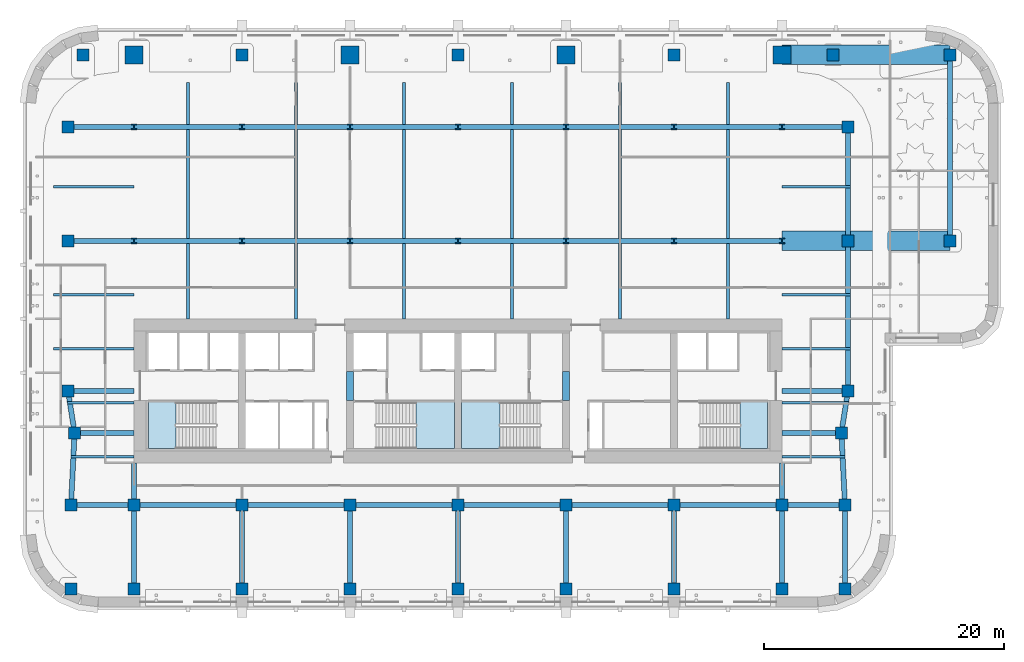
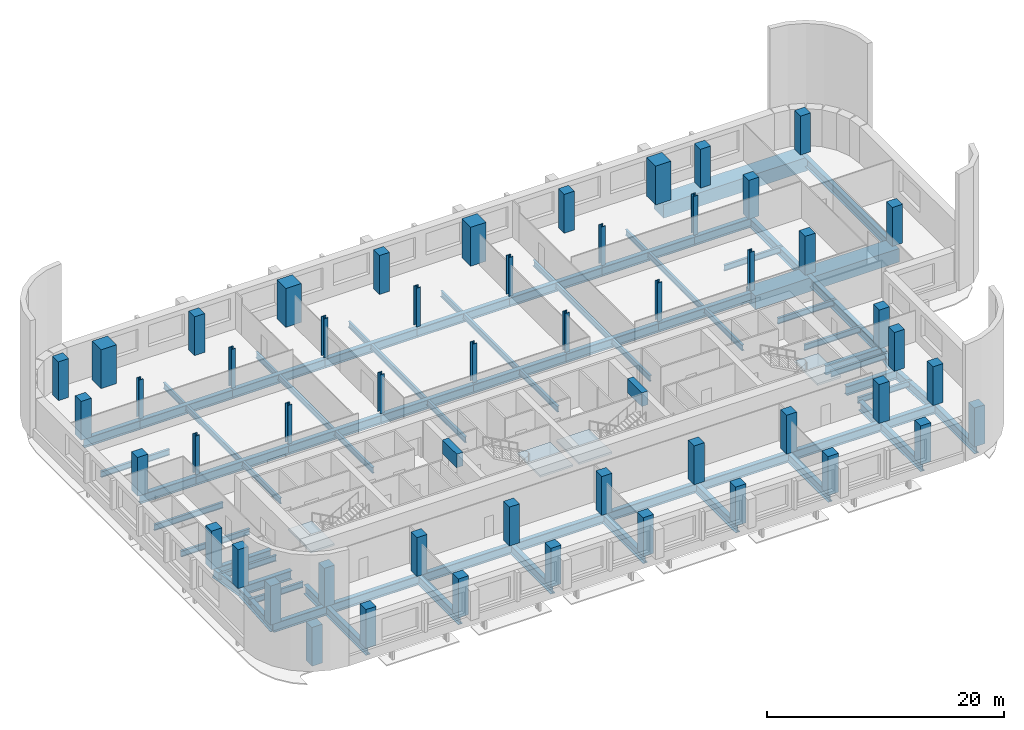
# One storey, part 1 of 13: 64 beams, 51 columns, 4 slabs, 4 elements without a shape of their own.
"""IFC4 building model written with IfcOpenShell, lengths in metres."""

from ifc_helpers import new_model, si_unit, direction, frame, origin, origin_2d, place, context, subcontext, project, spatial, polyline, rectangle, i_section, outline, extrude, material, layer, layer_set, material_profile, profile_set, type_object, element, aggregate, save


model = new_model("IFC4")

# Units and contexts
model_context = context("Model", 3, precision=1e-05, world=origin(), true_north=direction((0.0, 1.0)))
body_context = subcontext(model_context, "Body", "Model", "MODEL_VIEW")
ifc_project = project(units=[si_unit("LENGTHUNIT", "METRE"), si_unit("AREAUNIT", "SQUARE_METRE"), si_unit("VOLUMEUNIT", "CUBIC_METRE"), si_unit("PLANEANGLEUNIT", "RADIAN"), si_unit("MASSUNIT", "GRAM", prefix="KILO")], contexts=[model_context])

# Site, building, storey
site_placement = place(None, origin())
site = spatial("IfcSite", under=ifc_project, at=site_placement, CompositionType="ELEMENT")
building_placement = place(site_placement, origin())
building = spatial("IfcBuilding", under=site, at=building_placement, Name="Zellij Exchange Tower", CompositionType="ELEMENT")
storey_placement = place(building_placement, frame((0.0, 0.0, 108.5)))
storey = spatial("IfcBuildingStorey", under=building, at=storey_placement, Name="L23", CompositionType="ELEMENT", Elevation=108.5)

# Columns
ifc_material_1 = material(Name="Concrete C70/85", Category="concrete")
ifc_material_profile_1 = material_profile(ifc_material_1, rectangle(XDim=1.0, YDim=1.0, at=origin_2d()), Name="STR-COLUMN RC1000x1000 C70/85")
ifc_profile_set_1 = profile_set([ifc_material_profile_1], Name="Concrete C70/85")
column_type_1 = type_object("IfcColumnType", Name="STR-COLUMN RC1000x1000 C70/85", PredefinedType="COLUMN", material=ifc_profile_set_1)
for number, where, z_axis, x_axis, name in (
    (1, (-32.25, -24.5, 0.0), (0.0, 0.0, 1.0), (1.0, 0.0, 0.0), "C10"),
    (2, (-27.0, -24.5, 0.0), (0.0, 0.0, 1.0), (1.0, 0.0, 0.0), "C10"),
    (3, (-18.0, -24.5, 0.0), (0.0, 0.0, 1.0), (1.0, 0.0, 0.0), "C10"),
    (4, (-9.0, -24.5, 0.0), (0.0, 0.0, 1.0), (1.0, 0.0, 0.0), "C10"),
    (5, (0.0, -24.5, 0.0), (0.0, 0.0, 1.0), (1.0, 0.0, 0.0), "C10"),
    (6, (9.0, -24.5, 0.0), (0.0, 0.0, 1.0), (1.0, 0.0, 0.0), "C10"),
    (7, (18.0, -24.5, 0.0), (0.0, 0.0, 1.0), (1.0, 0.0, 0.0), "C10"),
    (8, (27.0, -24.5, 0.0), (0.0, 0.0, 1.0), (1.0, 0.0, 0.0), "C10"),
    (9, (32.25, -24.5, 0.0), (0.0, 0.0, 1.0), (1.0, 0.0, 0.0), "C10"),
    (10, (-32.25, -17.5, 0.0), (0.0, 0.0, 1.0), (1.0, 0.0, 0.0), "C10"),
    (11, (-27.0, -17.5, 0.0), (0.0, 0.0, 1.0), (1.0, 0.0, 0.0), "C10"),
    (12, (-18.0, -17.5, 0.0), (0.0, 0.0, 1.0), (1.0, 0.0, 0.0), "C10"),
    (13, (-9.0, -17.5, 0.0), (0.0, 0.0, 1.0), (1.0, 0.0, 0.0), "C10"),
    (14, (0.0, -17.5, 0.0), (0.0, 0.0, 1.0), (1.0, 0.0, 0.0), "C10"),
    (15, (9.0, -17.5, 0.0), (0.0, 0.0, 1.0), (1.0, 0.0, 0.0), "C10"),
    (16, (18.0, -17.5, 0.0), (0.0, 0.0, 1.0), (1.0, 0.0, 0.0), "C10"),
    (17, (27.0, -17.5, 0.0), (0.0, 0.0, 1.0), (1.0, 0.0, 0.0), "C10"),
    (18, (32.25, -17.5, 0.0), (0.0, 0.0, 1.0), (1.0, 0.0, 0.0), "C10"),
    (19, (-31.949951171875, -11.5, 0.0), (0.0, 0.0, 1.0), (1.0, 0.0, 0.0), "C10"),
    (20, (31.949951171875, -11.5, 0.0), (0.0, 0.0, 1.0), (1.0, 0.0, 0.0), "C10"),
    (21, (-32.5, -8.0, 0.0), (0.0, 0.0, 1.0), (1.0, 0.0, 0.0), "C10"),
    (22, (32.5, -8.0, 0.0), (0.0, 0.0, 1.0), (1.0, 0.0, 0.0), "C10"),
    (23, (-32.5, 4.5, 0.0), (0.0, 0.0, 1.0), (1.0, 0.0, 0.0), "C10"),
    (24, (32.5, 4.5, 0.0), (0.0, 0.0, 1.0), (1.0, 0.0, 0.0), "C10"),
    (25, (41.0, 4.5, 0.0), (0.0, 0.0, 1.0), (1.0, 0.0, 0.0), "C10"),
    (26, (-32.5, 14.0, 0.0), (0.0, 0.0, 1.0), (1.0, 0.0, 0.0), "C10"),
    (27, (32.5, 14.0, 0.0), (0.0, 0.0, 1.0), (1.0, 0.0, 0.0), "C10"),
    (28, (-31.25, 20.0, 0.0), (0.0, 0.0, 1.0), (1.0, 0.0, 0.0), "C10"),
    (29, (-18.0, 20.0, 0.0), (0.0, 0.0, 1.0), (1.0, 0.0, 0.0), "C10"),
    (30, (0.0, 20.0, 0.0), (0.0, 0.0, 1.0), (1.0, 0.0, 0.0), "C10"),
    (31, (18.0, 20.0, 0.0), (0.0, 0.0, 1.0), (1.0, 0.0, 0.0), "C10"),
    (32, (31.25, 20.0, 0.0), (0.0, 0.0, 1.0), (1.0, 0.0, 0.0), "C10"),
    (33, (41.0, 20.0, 0.0), (0.0, 0.0, 1.0), (1.0, 0.0, 0.0), "C10"),
):
    element("IfcColumn", number, at=place(storey_placement, frame(where, z_axis=z_axis, x_axis=x_axis)), inside=storey, type_object=column_type_1, Name=name, PredefinedType="COLUMN", context=body_context, shape_type="SweptSolid", body=[
        extrude(rectangle(XDim=1.0, YDim=1.0, at=origin_2d()), origin(), (0.0, 0.0, 1.0), 4.0),
    ])
ifc_material_2 = material(Name="Structural steel ASTM A913 Gr 65", Category="steel")
ifc_material_profile_2 = material_profile(ifc_material_2, i_section(OverallWidth=0.419189453125, OverallDepth=0.45458984375, WebThickness=0.042236328125, FlangeThickness=0.067626953125, at=origin_2d()), Name="W14x370")
ifc_profile_set_2 = profile_set([ifc_material_profile_2], Name="Structural steel ASTM A913 Gr 65")
column_type_2 = type_object("IfcColumnType", Name="STR-COLUMN W14x370", PredefinedType="COLUMN", material=ifc_profile_set_2)
for number, where, z_axis, x_axis, name in (
    (34, (-27.0, 4.5, 0.0), (0.0, 0.0, 1.0), (1.0, 0.0, 0.0), "C4"),
    (35, (-18.0, 4.5, 0.0), (0.0, 0.0, 1.0), (1.0, 0.0, 0.0), "C4"),
    (36, (-9.0, 4.5, 0.0), (0.0, 0.0, 1.0), (1.0, 0.0, 0.0), "C4"),
    (37, (0.0, 4.5, 0.0), (0.0, 0.0, 1.0), (1.0, 0.0, 0.0), "C4"),
    (38, (9.0, 4.5, 0.0), (0.0, 0.0, 1.0), (1.0, 0.0, 0.0), "C4"),
    (39, (18.0, 4.5, 0.0), (0.0, 0.0, 1.0), (1.0, 0.0, 0.0), "C4"),
    (40, (27.0, 4.5, 0.0), (0.0, 0.0, 1.0), (1.0, 0.0, 0.0), "C4"),
    (41, (-27.0, 14.0, 0.0), (0.0, 0.0, 1.0), (1.0, 0.0, 0.0), "C4"),
    (42, (-18.0, 14.0, 0.0), (0.0, 0.0, 1.0), (1.0, 0.0, 0.0), "C4"),
    (43, (-9.0, 14.0, 0.0), (0.0, 0.0, 1.0), (1.0, 0.0, 0.0), "C4"),
    (44, (0.0, 14.0, 0.0), (0.0, 0.0, 1.0), (1.0, 0.0, 0.0), "C4"),
    (45, (9.0, 14.0, 0.0), (0.0, 0.0, 1.0), (1.0, 0.0, 0.0), "C4"),
    (46, (18.0, 14.0, 0.0), (0.0, 0.0, 1.0), (1.0, 0.0, 0.0), "C4"),
    (47, (27.0, 14.0, 0.0), (0.0, 0.0, 1.0), (1.0, 0.0, 0.0), "C4"),
):
    element("IfcColumn", number, at=place(storey_placement, frame(where, z_axis=z_axis, x_axis=x_axis)), inside=storey, type_object=column_type_2, Name=name, PredefinedType="COLUMN", context=body_context, shape_type="SweptSolid", body=[
        extrude(i_section(OverallWidth=0.419189453125, OverallDepth=0.45458984375, WebThickness=0.042236328125, FlangeThickness=0.067626953125, at=origin_2d()), origin(), (0.0, 0.0, 1.0), 4.0),
    ])
ifc_material_profile_3 = material_profile(ifc_material_1, rectangle(XDim=1.5, YDim=1.5, at=origin_2d()), Name="STR-MEGA COLUMN RC1500x1500 C70/85")
ifc_profile_set_3 = profile_set([ifc_material_profile_3], Name="Concrete C70/85")
column_type_3 = type_object("IfcColumnType", Name="STR-MEGA COLUMN RC1500x1500 C70/85", PredefinedType="COLUMN", material=ifc_profile_set_3)
for number, where, z_axis, x_axis, name in (
    (48, (-27.0, 20.0, 0.0), (0.0, 0.0, 1.0), (1.0, 0.0, 0.0), "MC5"),
    (49, (-9.0, 20.0, 0.0), (0.0, 0.0, 1.0), (1.0, 0.0, 0.0), "MC5"),
    (50, (9.0, 20.0, 0.0), (0.0, 0.0, 1.0), (1.0, 0.0, 0.0), "MC5"),
    (51, (27.0, 20.0, 0.0), (0.0, 0.0, 1.0), (1.0, 0.0, 0.0), "MC5"),
):
    element("IfcColumn", number, at=place(storey_placement, frame(where, z_axis=z_axis, x_axis=x_axis)), inside=storey, type_object=column_type_3, Name=name, PredefinedType="COLUMN", context=body_context, shape_type="SweptSolid", body=[
        extrude(rectangle(XDim=1.5, YDim=1.5, at=origin_2d()), origin(), (0.0, 0.0, 1.0), 4.0),
    ])

# Beams
ifc_material_profile_4 = material_profile(ifc_material_1, rectangle(XDim=0.60009765625, YDim=1.39990234375, at=origin_2d()), Name="CORE-CB 600x1400 C70/85")
ifc_profile_set_4 = profile_set([ifc_material_profile_4], Name="Concrete C70/85")
beam_type_1 = type_object("IfcBeamType", Name="CORE-CB 600x1400 C70/85", PredefinedType="BEAM", material=ifc_profile_set_4)
for number, where, z_axis, x_axis, name in (
    (52, (-9.0, -8.800048828125, 3.10009765625), (0.0, 1.0, 0.0), (-1.0, 0.0, 0.0), "Core coupling beam x -9 L23"),
    (53, (9.0, -8.800048828125, 3.10009765625), (0.0, 1.0, 0.0), (-1.0, 0.0, 0.0), "Core coupling beam x 9 L23"),
):
    element("IfcBeam", number, at=place(storey_placement, frame(where, z_axis=z_axis, x_axis=x_axis)), inside=storey, type_object=beam_type_1, Name=name, PredefinedType="BEAM", context=body_context, shape_type="SweptSolid", body=[
        extrude(rectangle(XDim=0.60009765625, YDim=1.39990234375, at=origin_2d()), origin(), (0.0, 0.0, 1.0), 2.425048828125),
    ])
ifc_material_3 = material(Name="Structural steel ASTM A992 Gr 50", Category="steel")
ifc_material_profile_5 = material_profile(ifc_material_3, i_section(OverallWidth=0.227783203125, OverallDepth=0.60205078125, WebThickness=0.010498046875, FlangeThickness=0.014892578125, at=origin_2d()), Name="W24x68")
ifc_profile_set_5 = profile_set([ifc_material_profile_5], Name="Structural steel ASTM A992 Gr 50")
beam_type_2 = type_object("IfcBeamType", Name="STR-BEAM W24x68", PredefinedType="BEAM", material=ifc_profile_set_5)
for number, where, z_axis, x_axis, name in (
    (54, (-22.5, -2.0, -0.5009765625), (0.0, 1.0, 0.0), (-1.0, 0.0, 0.0), "B5"),
    (55, (-13.5, -2.0, -0.5009765625), (0.0, 1.0, 0.0), (-1.0, 0.0, 0.0), "B5"),
    (56, (-4.5, -2.0, -0.5009765625), (0.0, 1.0, 0.0), (-1.0, 0.0, 0.0), "B5"),
    (57, (4.5, -2.0, -0.5009765625), (0.0, 1.0, 0.0), (-1.0, 0.0, 0.0), "B5"),
    (58, (13.5, -2.0, -0.5009765625), (0.0, 1.0, 0.0), (-1.0, 0.0, 0.0), "B5"),
    (59, (22.5, -2.0, -0.5009765625), (0.0, 1.0, 0.0), (-1.0, 0.0, 0.0), "B5"),
):
    element("IfcBeam", number, at=place(storey_placement, frame(where, z_axis=z_axis, x_axis=x_axis)), inside=storey, type_object=beam_type_2, Name=name, PredefinedType="BEAM", context=body_context, shape_type="SweptSolid", body=[
        extrude(i_section(OverallWidth=0.227783203125, OverallDepth=0.60205078125, WebThickness=0.010498046875, FlangeThickness=0.014892578125, at=origin_2d()), origin(), (0.0, 0.0, 1.0), 19.699951171875),
    ])
beam_1_placement = place(storey_placement, frame((-32.262451171875, -13.5, -0.5009765625), z_axis=(1.0, 0.0, 0.0), x_axis=(0.0, 1.0, 0.0)))
element("IfcBeam", 60, at=beam_1_placement, inside=storey, type_object=beam_type_2, Name="B5", PredefinedType="BEAM", context=body_context, shape_type="SweptSolid", body=[
    extrude(i_section(OverallWidth=0.227783203125, OverallDepth=0.60205078125, WebThickness=0.010498046875, FlangeThickness=0.014892578125, at=origin_2d()), origin(), (0.0, 0.0, 1.0), 5.262451171875),
])
beam_2_placement = place(storey_placement, frame((-32.5576171875, -9.0, -0.5009765625), z_axis=(1.0, 0.0, 0.0), x_axis=(0.0, 1.0, 0.0)))
element("IfcBeam", 61, at=beam_2_placement, inside=storey, type_object=beam_type_2, Name="B5", PredefinedType="BEAM", context=body_context, shape_type="SweptSolid", body=[
    extrude(i_section(OverallWidth=0.227783203125, OverallDepth=0.60205078125, WebThickness=0.010498046875, FlangeThickness=0.014892578125, at=origin_2d()), origin(), (0.0, 0.0, 1.0), 5.5576171875),
])
for number, where, z_axis, x_axis, name in (
    (62, (-33.699951171875, -4.5, -0.5009765625), (1.0, 0.0, 0.0), (0.0, 1.0, 0.0), "B5"),
    (63, (-33.699951171875, 0.0, -0.5009765625), (1.0, 0.0, 0.0), (0.0, 1.0, 0.0), "B5"),
    (64, (-33.699951171875, 9.0, -0.5009765625), (1.0, 0.0, 0.0), (0.0, 1.0, 0.0), "B5"),
):
    element("IfcBeam", number, at=place(storey_placement, frame(where, z_axis=z_axis, x_axis=x_axis)), inside=storey, type_object=beam_type_2, Name=name, PredefinedType="BEAM", context=body_context, shape_type="SweptSolid", body=[
        extrude(i_section(OverallWidth=0.227783203125, OverallDepth=0.60205078125, WebThickness=0.010498046875, FlangeThickness=0.014892578125, at=origin_2d()), origin(), (0.0, 0.0, 1.0), 6.699951171875),
    ])
beam_3_placement = place(storey_placement, frame((27.0, -13.5, -0.5009765625), z_axis=(1.0, 0.0, 0.0), x_axis=(0.0, 1.0, 0.0)))
element("IfcBeam", 65, at=beam_3_placement, inside=storey, type_object=beam_type_2, Name="B5", PredefinedType="BEAM", context=body_context, shape_type="SweptSolid", body=[
    extrude(i_section(OverallWidth=0.227783203125, OverallDepth=0.60205078125, WebThickness=0.010498046875, FlangeThickness=0.014892578125, at=origin_2d()), origin(), (0.0, 0.0, 1.0), 5.262451171875),
])
beam_4_placement = place(storey_placement, frame((27.0, -9.0, -0.5009765625), z_axis=(1.0, 0.0, 0.0), x_axis=(0.0, 1.0, 0.0)))
element("IfcBeam", 66, at=beam_4_placement, inside=storey, type_object=beam_type_2, Name="B5", PredefinedType="BEAM", context=body_context, shape_type="SweptSolid", body=[
    extrude(i_section(OverallWidth=0.227783203125, OverallDepth=0.60205078125, WebThickness=0.010498046875, FlangeThickness=0.014892578125, at=origin_2d()), origin(), (0.0, 0.0, 1.0), 5.5576171875),
])
for number, where, z_axis, x_axis, name in (
    (67, (27.0, -4.5, -0.5009765625), (1.0, 0.0, 0.0), (0.0, 1.0, 0.0), "B5"),
    (68, (27.0, 0.0, -0.5009765625), (1.0, 0.0, 0.0), (0.0, 1.0, 0.0), "B5"),
    (69, (27.0, 9.0, -0.5009765625), (1.0, 0.0, 0.0), (0.0, 1.0, 0.0), "B5"),
):
    element("IfcBeam", number, at=place(storey_placement, frame(where, z_axis=z_axis, x_axis=x_axis)), inside=storey, type_object=beam_type_2, Name=name, PredefinedType="BEAM", context=body_context, shape_type="SweptSolid", body=[
        extrude(i_section(OverallWidth=0.227783203125, OverallDepth=0.60205078125, WebThickness=0.010498046875, FlangeThickness=0.014892578125, at=origin_2d()), origin(), (0.0, 0.0, 1.0), 5.712158203125),
    ])
ifc_material_profile_6 = material_profile(ifc_material_2, i_section(OverallWidth=0.424072265625, OverallDepth=0.93212890625, WebThickness=0.02392578125, FlangeThickness=0.042724609375, at=origin_2d()), Name="W36x300")
ifc_profile_set_6 = profile_set([ifc_material_profile_6], Name="Structural steel ASTM A913 Gr 65")
beam_type_3 = type_object("IfcBeamType", Name="STR-EDGE GIRDER W36x300", PredefinedType="BEAM", material=ifc_profile_set_6)
beam_5_placement = place(storey_placement, frame((-32.25, -17.5, -0.666015625), z_axis=(0.049945724537, 0.998751933465, 0.0), x_axis=(-0.998751933465, 0.049945724537, 0.0)))
element("IfcBeam", 70, at=beam_5_placement, inside=storey, type_object=beam_type_3, Name="EG5", PredefinedType="BEAM", context=body_context, shape_type="SweptSolid", body=[
    extrude(i_section(OverallWidth=0.424072265625, OverallDepth=0.93212890625, WebThickness=0.02392578125, FlangeThickness=0.042724609375, at=origin_2d()), origin(), (0.0, 0.0, 1.0), 6.007568359375),
])
beam_6_placement = place(storey_placement, frame((-31.949951171875, -11.5, -0.666015625), z_axis=(-0.155251283593, 0.987875011802, 0.0), x_axis=(-0.987875011802, -0.155251283593, 0.0)))
element("IfcBeam", 71, at=beam_6_placement, inside=storey, type_object=beam_type_3, Name="EG5", PredefinedType="BEAM", context=body_context, shape_type="SweptSolid", body=[
    extrude(i_section(OverallWidth=0.424072265625, OverallDepth=0.93212890625, WebThickness=0.02392578125, FlangeThickness=0.042724609375, at=origin_2d()), origin(), (0.0, 0.0, 1.0), 3.54296875),
])
beam_7_placement = place(storey_placement, frame((32.25, -24.5, -0.666015625), z_axis=(0.0, 1.0, 0.0), x_axis=(-1.0, 0.0, 0.0)))
element("IfcBeam", 72, at=beam_7_placement, inside=storey, type_object=beam_type_3, Name="EG5", PredefinedType="BEAM", context=body_context, shape_type="SweptSolid", body=[
    extrude(i_section(OverallWidth=0.424072265625, OverallDepth=0.93212890625, WebThickness=0.02392578125, FlangeThickness=0.042724609375, at=origin_2d()), origin(), (0.0, 0.0, 1.0), 7.0),
])
beam_8_placement = place(storey_placement, frame((32.25, -17.5, -0.666015625), z_axis=(-0.049945724537, 0.998751933465, 0.0), x_axis=(-0.998751933465, -0.049945724537, 0.0)))
element("IfcBeam", 73, at=beam_8_placement, inside=storey, type_object=beam_type_3, Name="EG5", PredefinedType="BEAM", context=body_context, shape_type="SweptSolid", body=[
    extrude(i_section(OverallWidth=0.424072265625, OverallDepth=0.93212890625, WebThickness=0.02392578125, FlangeThickness=0.042724609375, at=origin_2d()), origin(), (0.0, 0.0, 1.0), 6.007568359375),
])
beam_9_placement = place(storey_placement, frame((31.949951171875, -11.5, -0.666015625), z_axis=(0.155251283593, 0.987875011802, 0.0), x_axis=(-0.987875011802, 0.155251283593, 0.0)))
element("IfcBeam", 74, at=beam_9_placement, inside=storey, type_object=beam_type_3, Name="EG5", PredefinedType="BEAM", context=body_context, shape_type="SweptSolid", body=[
    extrude(i_section(OverallWidth=0.424072265625, OverallDepth=0.93212890625, WebThickness=0.02392578125, FlangeThickness=0.042724609375, at=origin_2d()), origin(), (0.0, 0.0, 1.0), 3.54296875),
])
beam_10_placement = place(storey_placement, frame((32.5, -8.0, -0.666015625), z_axis=(0.0, 1.0, 0.0), x_axis=(-1.0, 0.0, 0.0)))
element("IfcBeam", 75, at=beam_10_placement, inside=storey, type_object=beam_type_3, Name="EG5", PredefinedType="BEAM", context=body_context, shape_type="SweptSolid", body=[
    extrude(i_section(OverallWidth=0.424072265625, OverallDepth=0.93212890625, WebThickness=0.02392578125, FlangeThickness=0.042724609375, at=origin_2d()), origin(), (0.0, 0.0, 1.0), 12.5),
])
beam_11_placement = place(storey_placement, frame((32.5, 4.5, -0.666015625), z_axis=(0.0, 1.0, 0.0), x_axis=(-1.0, 0.0, 0.0)))
element("IfcBeam", 76, at=beam_11_placement, inside=storey, type_object=beam_type_3, Name="EG5", PredefinedType="BEAM", context=body_context, shape_type="SweptSolid", body=[
    extrude(i_section(OverallWidth=0.424072265625, OverallDepth=0.93212890625, WebThickness=0.02392578125, FlangeThickness=0.042724609375, at=origin_2d()), origin(), (0.0, 0.0, 1.0), 9.5),
])
beam_12_placement = place(storey_placement, frame((41.0, 4.5, -0.666015625), z_axis=(0.0, 1.0, 0.0), x_axis=(-1.0, 0.0, 0.0)))
element("IfcBeam", 77, at=beam_12_placement, inside=storey, type_object=beam_type_3, Name="EG5", PredefinedType="BEAM", context=body_context, shape_type="SweptSolid", body=[
    extrude(i_section(OverallWidth=0.424072265625, OverallDepth=0.93212890625, WebThickness=0.02392578125, FlangeThickness=0.042724609375, at=origin_2d()), origin(), (0.0, 0.0, 1.0), 15.5),
])
ifc_material_profile_7 = material_profile(ifc_material_1, rectangle(XDim=1.60009765625, YDim=1.39990234375, at=origin_2d()), Name="STR-END BLOCK TRANSFER GIRDER RC1600x1400 C70/85")
ifc_profile_set_7 = profile_set([ifc_material_profile_7], Name="Concrete C70/85")
beam_type_4 = type_object("IfcBeamType", Name="STR-END BLOCK TRANSFER GIRDER RC1600x1400 C70/85", PredefinedType="BEAM", material=ifc_profile_set_7)
for number, where, z_axis, x_axis, name in (
    (78, (27.0, 20.0, -0.89990234375), (1.0, 0.0, 0.0), (0.0, 1.0, 0.0), "ETG2"),
    (79, (27.0, 4.5, -0.89990234375), (1.0, 0.0, 0.0), (0.0, 1.0, 0.0), "ETG2"),
):
    element("IfcBeam", number, at=place(storey_placement, frame(where, z_axis=z_axis, x_axis=x_axis)), inside=storey, type_object=beam_type_4, Name=name, PredefinedType="BEAM", context=body_context, shape_type="SweptSolid", body=[
        extrude(rectangle(XDim=1.60009765625, YDim=1.39990234375, at=origin_2d()), origin(), (0.0, 0.0, 1.0), 14.0),
    ])
ifc_material_profile_8 = material_profile(ifc_material_2, i_section(OverallWidth=0.424072265625, OverallDepth=0.93212890625, WebThickness=0.02392578125, FlangeThickness=0.042724609375, at=origin_2d()), Name="W36x300")
ifc_profile_set_8 = profile_set([ifc_material_profile_8], Name="Structural steel ASTM A913 Gr 65")
beam_type_5 = type_object("IfcBeamType", Name="STR-GIRDER W36x300", PredefinedType="BEAM", material=ifc_profile_set_8)
beam_13_placement = place(storey_placement, frame((-32.25, -17.5, -0.666015625), z_axis=(1.0, 0.0, 0.0), x_axis=(0.0, 1.0, 0.0)))
element("IfcBeam", 80, at=beam_13_placement, inside=storey, type_object=beam_type_5, Name="G5", PredefinedType="BEAM", context=body_context, shape_type="SweptSolid", body=[
    extrude(i_section(OverallWidth=0.424072265625, OverallDepth=0.93212890625, WebThickness=0.02392578125, FlangeThickness=0.042724609375, at=origin_2d()), origin(), (0.0, 0.0, 1.0), 5.25),
])
for number, where, z_axis, x_axis, name in (
    (81, (-27.0, -17.5, -0.666015625), (1.0, 0.0, 0.0), (0.0, 1.0, 0.0), "G5"),
    (82, (-18.0, -17.5, -0.666015625), (1.0, 0.0, 0.0), (0.0, 1.0, 0.0), "G5"),
    (83, (-9.0, -17.5, -0.666015625), (1.0, 0.0, 0.0), (0.0, 1.0, 0.0), "G5"),
    (84, (0.0, -17.5, -0.666015625), (1.0, 0.0, 0.0), (0.0, 1.0, 0.0), "G5"),
    (85, (9.0, -17.5, -0.666015625), (1.0, 0.0, 0.0), (0.0, 1.0, 0.0), "G5"),
    (86, (18.0, -17.5, -0.666015625), (1.0, 0.0, 0.0), (0.0, 1.0, 0.0), "G5"),
):
    element("IfcBeam", number, at=place(storey_placement, frame(where, z_axis=z_axis, x_axis=x_axis)), inside=storey, type_object=beam_type_5, Name=name, PredefinedType="BEAM", context=body_context, shape_type="SweptSolid", body=[
        extrude(i_section(OverallWidth=0.424072265625, OverallDepth=0.93212890625, WebThickness=0.02392578125, FlangeThickness=0.042724609375, at=origin_2d()), origin(), (0.0, 0.0, 1.0), 9.0),
    ])
beam_14_placement = place(storey_placement, frame((27.0, -17.5, -0.666015625), z_axis=(1.0, 0.0, 0.0), x_axis=(0.0, 1.0, 0.0)))
element("IfcBeam", 87, at=beam_14_placement, inside=storey, type_object=beam_type_5, Name="G5", PredefinedType="BEAM", context=body_context, shape_type="SweptSolid", body=[
    extrude(i_section(OverallWidth=0.424072265625, OverallDepth=0.93212890625, WebThickness=0.02392578125, FlangeThickness=0.042724609375, at=origin_2d()), origin(), (0.0, 0.0, 1.0), 5.25),
])
for number, where, z_axis, x_axis, name in (
    (88, (-31.949951171875, -11.5, -0.666015625), (1.0, 0.0, 0.0), (0.0, 1.0, 0.0), "G5"),
    (89, (27.0, -11.5, -0.666015625), (1.0, 0.0, 0.0), (0.0, 1.0, 0.0), "G5"),
):
    element("IfcBeam", number, at=place(storey_placement, frame(where, z_axis=z_axis, x_axis=x_axis)), inside=storey, type_object=beam_type_5, Name=name, PredefinedType="BEAM", context=body_context, shape_type="SweptSolid", body=[
        extrude(i_section(OverallWidth=0.424072265625, OverallDepth=0.93212890625, WebThickness=0.02392578125, FlangeThickness=0.042724609375, at=origin_2d()), origin(), (0.0, 0.0, 1.0), 4.949951171875),
    ])
for number, where, z_axis, x_axis, name in (
    (90, (-32.5, -8.0, -0.666015625), (1.0, 0.0, 0.0), (0.0, 1.0, 0.0), "G5"),
    (91, (27.0, -8.0, -0.666015625), (1.0, 0.0, 0.0), (0.0, 1.0, 0.0), "G5"),
    (92, (-32.5, 4.5, -0.666015625), (1.0, 0.0, 0.0), (0.0, 1.0, 0.0), "G5"),
):
    element("IfcBeam", number, at=place(storey_placement, frame(where, z_axis=z_axis, x_axis=x_axis)), inside=storey, type_object=beam_type_5, Name=name, PredefinedType="BEAM", context=body_context, shape_type="SweptSolid", body=[
        extrude(i_section(OverallWidth=0.424072265625, OverallDepth=0.93212890625, WebThickness=0.02392578125, FlangeThickness=0.042724609375, at=origin_2d()), origin(), (0.0, 0.0, 1.0), 5.5),
    ])
for number, where, z_axis, x_axis, name in (
    (93, (-27.0, 4.5, -0.666015625), (1.0, 0.0, 0.0), (0.0, 1.0, 0.0), "G5"),
    (94, (-18.0, 4.5, -0.666015625), (1.0, 0.0, 0.0), (0.0, 1.0, 0.0), "G5"),
    (95, (-9.0, 4.5, -0.666015625), (1.0, 0.0, 0.0), (0.0, 1.0, 0.0), "G5"),
    (96, (0.0, 4.5, -0.666015625), (1.0, 0.0, 0.0), (0.0, 1.0, 0.0), "G5"),
    (97, (9.0, 4.5, -0.666015625), (1.0, 0.0, 0.0), (0.0, 1.0, 0.0), "G5"),
    (98, (18.0, 4.5, -0.666015625), (1.0, 0.0, 0.0), (0.0, 1.0, 0.0), "G5"),
):
    element("IfcBeam", number, at=place(storey_placement, frame(where, z_axis=z_axis, x_axis=x_axis)), inside=storey, type_object=beam_type_5, Name=name, PredefinedType="BEAM", context=body_context, shape_type="SweptSolid", body=[
        extrude(i_section(OverallWidth=0.424072265625, OverallDepth=0.93212890625, WebThickness=0.02392578125, FlangeThickness=0.042724609375, at=origin_2d()), origin(), (0.0, 0.0, 1.0), 9.0),
    ])
beam_15_placement = place(storey_placement, frame((-32.5, 14.0, -0.666015625), z_axis=(1.0, 0.0, 0.0), x_axis=(0.0, 1.0, 0.0)))
element("IfcBeam", 99, at=beam_15_placement, inside=storey, type_object=beam_type_5, Name="G5", PredefinedType="BEAM", context=body_context, shape_type="SweptSolid", body=[
    extrude(i_section(OverallWidth=0.424072265625, OverallDepth=0.93212890625, WebThickness=0.02392578125, FlangeThickness=0.042724609375, at=origin_2d()), origin(), (0.0, 0.0, 1.0), 5.5),
])
for number, where, z_axis, x_axis, name in (
    (100, (-27.0, 14.0, -0.666015625), (1.0, 0.0, 0.0), (0.0, 1.0, 0.0), "G5"),
    (101, (-18.0, 14.0, -0.666015625), (1.0, 0.0, 0.0), (0.0, 1.0, 0.0), "G5"),
    (102, (-9.0, 14.0, -0.666015625), (1.0, 0.0, 0.0), (0.0, 1.0, 0.0), "G5"),
    (103, (0.0, 14.0, -0.666015625), (1.0, 0.0, 0.0), (0.0, 1.0, 0.0), "G5"),
    (104, (9.0, 14.0, -0.666015625), (1.0, 0.0, 0.0), (0.0, 1.0, 0.0), "G5"),
    (105, (18.0, 14.0, -0.666015625), (1.0, 0.0, 0.0), (0.0, 1.0, 0.0), "G5"),
):
    element("IfcBeam", number, at=place(storey_placement, frame(where, z_axis=z_axis, x_axis=x_axis)), inside=storey, type_object=beam_type_5, Name=name, PredefinedType="BEAM", context=body_context, shape_type="SweptSolid", body=[
        extrude(i_section(OverallWidth=0.424072265625, OverallDepth=0.93212890625, WebThickness=0.02392578125, FlangeThickness=0.042724609375, at=origin_2d()), origin(), (0.0, 0.0, 1.0), 9.0),
    ])
beam_16_placement = place(storey_placement, frame((27.0, 14.0, -0.666015625), z_axis=(1.0, 0.0, 0.0), x_axis=(0.0, 1.0, 0.0)))
element("IfcBeam", 106, at=beam_16_placement, inside=storey, type_object=beam_type_5, Name="G5", PredefinedType="BEAM", context=body_context, shape_type="SweptSolid", body=[
    extrude(i_section(OverallWidth=0.424072265625, OverallDepth=0.93212890625, WebThickness=0.02392578125, FlangeThickness=0.042724609375, at=origin_2d()), origin(), (0.0, 0.0, 1.0), 5.5),
])
beam_17_placement = place(storey_placement, frame((-27.0, -24.5, -0.666015625), z_axis=(0.0, 1.0, 0.0), x_axis=(-1.0, 0.0, 0.0)))
element("IfcBeam", 107, at=beam_17_placement, inside=storey, type_object=beam_type_5, Name="G5", PredefinedType="BEAM", context=body_context, shape_type="SweptSolid", body=[
    extrude(i_section(OverallWidth=0.424072265625, OverallDepth=0.93212890625, WebThickness=0.02392578125, FlangeThickness=0.042724609375, at=origin_2d()), origin(), (0.0, 0.0, 1.0), 7.0),
])
beam_18_placement = place(storey_placement, frame((-27.0, -17.5, -0.666015625), z_axis=(0.0, 1.0, 0.0), x_axis=(-1.0, 0.0, 0.0)))
element("IfcBeam", 108, at=beam_18_placement, inside=storey, type_object=beam_type_5, Name="G5", PredefinedType="BEAM", context=body_context, shape_type="SweptSolid", body=[
    extrude(i_section(OverallWidth=0.424072265625, OverallDepth=0.93212890625, WebThickness=0.02392578125, FlangeThickness=0.042724609375, at=origin_2d()), origin(), (0.0, 0.0, 1.0), 3.5),
])
for number, where, z_axis, x_axis, name in (
    (109, (-18.0, -24.5, -0.666015625), (0.0, 1.0, 0.0), (-1.0, 0.0, 0.0), "G5"),
    (110, (-9.0, -24.5, -0.666015625), (0.0, 1.0, 0.0), (-1.0, 0.0, 0.0), "G5"),
    (111, (0.0, -24.5, -0.666015625), (0.0, 1.0, 0.0), (-1.0, 0.0, 0.0), "G5"),
    (112, (9.0, -24.5, -0.666015625), (0.0, 1.0, 0.0), (-1.0, 0.0, 0.0), "G5"),
    (113, (18.0, -24.5, -0.666015625), (0.0, 1.0, 0.0), (-1.0, 0.0, 0.0), "G5"),
    (114, (27.0, -24.5, -0.666015625), (0.0, 1.0, 0.0), (-1.0, 0.0, 0.0), "G5"),
):
    element("IfcBeam", number, at=place(storey_placement, frame(where, z_axis=z_axis, x_axis=x_axis)), inside=storey, type_object=beam_type_5, Name=name, PredefinedType="BEAM", context=body_context, shape_type="SweptSolid", body=[
        extrude(i_section(OverallWidth=0.424072265625, OverallDepth=0.93212890625, WebThickness=0.02392578125, FlangeThickness=0.042724609375, at=origin_2d()), origin(), (0.0, 0.0, 1.0), 7.0),
    ])
beam_19_placement = place(storey_placement, frame((27.0, -17.5, -0.666015625), z_axis=(0.0, 1.0, 0.0), x_axis=(-1.0, 0.0, 0.0)))
element("IfcBeam", 115, at=beam_19_placement, inside=storey, type_object=beam_type_5, Name="G5", PredefinedType="BEAM", context=body_context, shape_type="SweptSolid", body=[
    extrude(i_section(OverallWidth=0.424072265625, OverallDepth=0.93212890625, WebThickness=0.02392578125, FlangeThickness=0.042724609375, at=origin_2d()), origin(), (0.0, 0.0, 1.0), 3.5),
])

# Stair, slab
ifc_material_4 = material(Name="Concrete C40/50", Category="concrete")
stair_type = type_object("IfcStairType", Name="CORE-ST exit stair 1850 wide", PredefinedType="HALF_TURN_STAIR", material=ifc_material_4)
stair_1_placement = place(storey_placement, origin())
stair_1 = element("IfcStair", 116, at=stair_1_placement, inside=storey, type_object=stair_type, Name="L23 exit stair ST1", PredefinedType="HALF_TURN_STAIR")
ifc_layer = layer(ifc_material_4, 0.199951171875)
ifc_layer_set = layer_set([ifc_layer], Name="Concrete C40/50")
slab_type = type_object("IfcSlabType", Name="CORE-SL stair landing 200", PredefinedType="LANDING", material=ifc_layer_set)
slab_1_placement = place(storey_placement, frame((0.0, 0.0, 1.800048828125)))
slab_1 = element("IfcSlab", 117, at=slab_1_placement, type_object=slab_type, Name="ST1 landing 1", PredefinedType="LANDING", context=body_context, shape_type="SweptSolid", body=[
    extrude(outline(polyline([(-23.510009765625, -8.949951171875), (-25.800048828125, -8.949951171875), (-25.800048828125, -12.800048828125), (-23.510009765625, -12.800048828125), (-23.510009765625, -8.949951171875)])), origin(), (0.0, 0.0, 1.0), 0.199951171875),
])
aggregate(stair_1, [slab_1])

stair_2_placement = place(storey_placement, origin())
stair_2 = element("IfcStair", 118, at=stair_2_placement, inside=storey, type_object=stair_type, Name="L23 exit stair ST2", PredefinedType="HALF_TURN_STAIR")
slab_2_placement = place(storey_placement, frame((0.0, 0.0, 1.800048828125)))
slab_2 = element("IfcSlab", 119, at=slab_2_placement, type_object=slab_type, Name="ST2 landing 1", PredefinedType="LANDING", context=body_context, shape_type="SweptSolid", body=[
    extrude(outline(polyline([(-3.489990234375, -12.800048828125), (-0.300048828125, -12.800048828125), (-0.300048828125, -8.949951171875), (-3.489990234375, -8.949951171875), (-3.489990234375, -12.800048828125)])), origin(), (0.0, 0.0, 1.0), 0.199951171875),
])
aggregate(stair_2, [slab_2])

stair_3_placement = place(storey_placement, origin())
stair_3 = element("IfcStair", 120, at=stair_3_placement, inside=storey, type_object=stair_type, Name="L23 exit stair ST3", PredefinedType="HALF_TURN_STAIR")
slab_3_placement = place(storey_placement, frame((0.0, 0.0, 1.800048828125)))
slab_3 = element("IfcSlab", 121, at=slab_3_placement, type_object=slab_type, Name="ST3 landing 1", PredefinedType="LANDING", context=body_context, shape_type="SweptSolid", body=[
    extrude(outline(polyline([(3.489990234375, -8.949951171875), (0.300048828125, -8.949951171875), (0.300048828125, -12.800048828125), (3.489990234375, -12.800048828125), (3.489990234375, -8.949951171875)])), origin(), (0.0, 0.0, 1.0), 0.199951171875),
])
aggregate(stair_3, [slab_3])

stair_4_placement = place(storey_placement, origin())
stair_4 = element("IfcStair", 122, at=stair_4_placement, inside=storey, type_object=stair_type, Name="L23 exit stair ST4", PredefinedType="HALF_TURN_STAIR")
slab_4_placement = place(storey_placement, frame((0.0, 0.0, 1.800048828125)))
slab_4 = element("IfcSlab", 123, at=slab_4_placement, type_object=slab_type, Name="ST4 landing 1", PredefinedType="LANDING", context=body_context, shape_type="SweptSolid", body=[
    extrude(outline(polyline([(23.510009765625, -12.800048828125), (25.800048828125, -12.800048828125), (25.800048828125, -8.949951171875), (23.510009765625, -8.949951171875), (23.510009765625, -12.800048828125)])), origin(), (0.0, 0.0, 1.0), 0.199951171875),
])
aggregate(stair_4, [slab_4])

save(model, "model.ifc")
